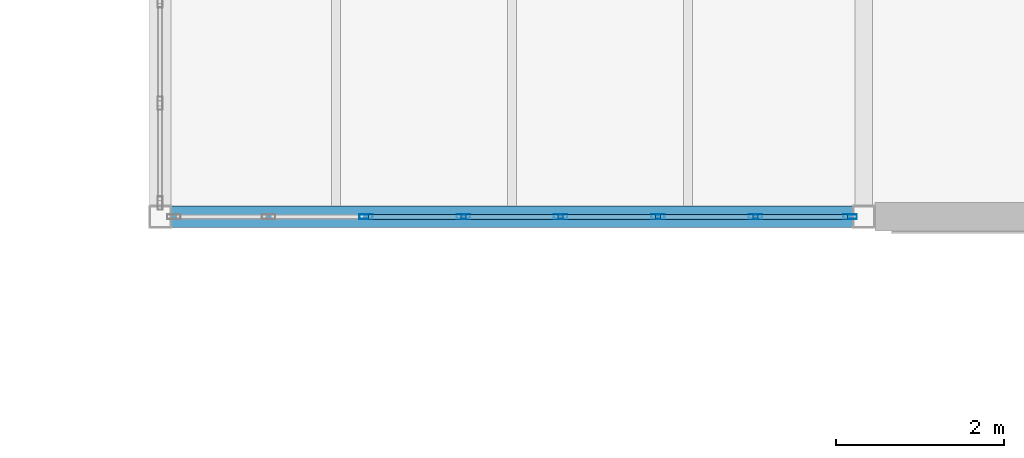
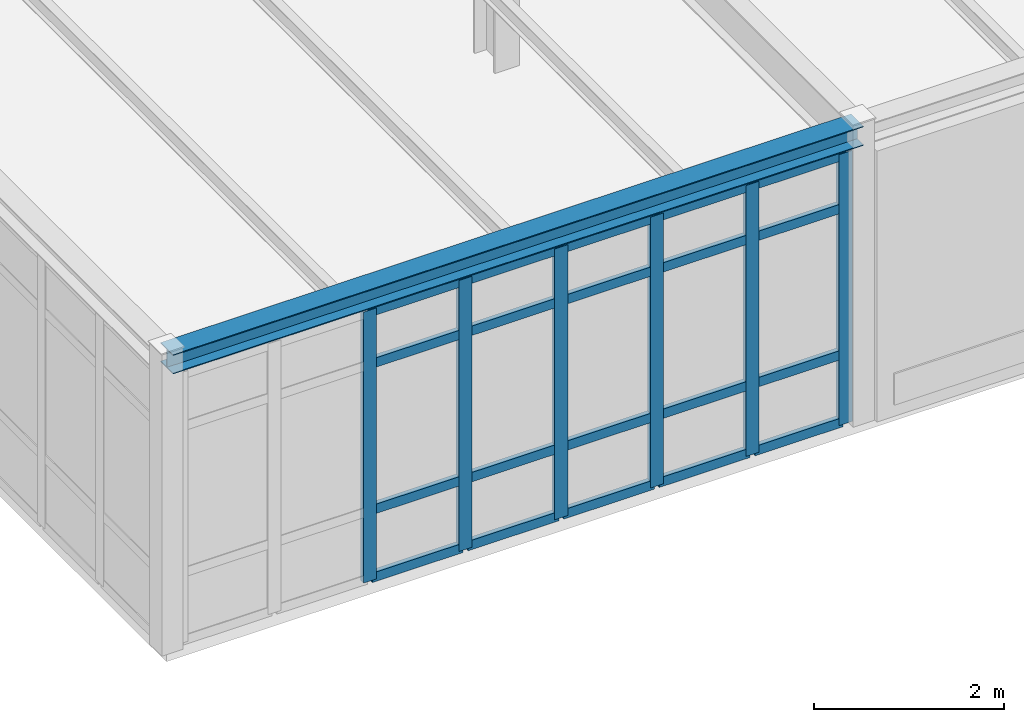
# One storey, part 85 of 189: 26 members, 1 beam, 1 element without a shape of its own.
"""IFC4 building model written with IfcOpenShell, lengths in metres."""

from ifc_helpers import new_model, si_unit, direction, frame, origin, origin_2d, place, context, subcontext, project, spatial, hollow_rectangle, i_section, extrude, material, layer, layer_set, material_profile, profile_set, type_object, element, aggregate, save


model = new_model("IFC4")

# Units and contexts
model_context = context("Model", 3, precision=1e-05, world=origin(), true_north=direction((0.0, 1.0)))
body_context = subcontext(model_context, "Body", "Model", "MODEL_VIEW")
ifc_project = project(units=[si_unit("LENGTHUNIT", "METRE"), si_unit("AREAUNIT", "SQUARE_METRE"), si_unit("VOLUMEUNIT", "CUBIC_METRE"), si_unit("PLANEANGLEUNIT", "RADIAN"), si_unit("MASSUNIT", "GRAM", prefix="KILO")], contexts=[model_context])

# Site, building, storey
site_placement = place(None, origin())
site = spatial("IfcSite", under=ifc_project, at=site_placement, CompositionType="ELEMENT")
building_placement = place(site_placement, origin())
building = spatial("IfcBuilding", under=site, at=building_placement, Name="Montecoro Central Library", CompositionType="ELEMENT")
storey_placement = place(building_placement, frame((0.0, 0.0, 9.179931640625)))
storey = spatial("IfcBuildingStorey", under=building, at=storey_placement, Name="L02", CompositionType="ELEMENT", Elevation=9.179931640625)

# Beam
ifc_material_1 = material(Name="Steel S355", Category="steel")
ifc_material_profile_1 = material_profile(ifc_material_1, i_section(OverallWidth=0.260009765625, OverallDepth=0.25, WebThickness=0.007568359375, FlangeThickness=0.012451171875, at=origin_2d()), Name="HEA 260")
ifc_profile_set_1 = profile_set([ifc_material_profile_1], Name="Steel S355")
beam_type = type_object("IfcBeamType", Name="BM-SP-HEA260", PredefinedType="SPANDREL", material=ifc_profile_set_1)
beam_placement = place(storey_placement, frame((66.405029296875, 81.0, 3.699951171875), z_axis=(1.0, 0.0, 0.0), x_axis=(0.0, 1.0, 0.0)))
element("IfcBeam", 1, at=beam_placement, inside=storey, type_object=beam_type, Name="V2-L02-BX-910-L", PredefinedType="SPANDREL", context=body_context, shape_type="SweptSolid", body=[
    extrude(i_section(OverallWidth=0.260009765625, OverallDepth=0.25, WebThickness=0.007568359375, FlangeThickness=0.012451171875, at=origin_2d()), origin(), (0.0, 0.0, 1.0), 8.389892578125),
])

# Curtain wall, members
ifc_material_2 = material(Name="Bronze-anodised aluminium and low-E glazing", Category="aluminium")
ifc_layer = layer(ifc_material_2, 0.159912109375)
ifc_layer_set = layer_set([ifc_layer], Name="Bronze-anodised aluminium and low-E glazing")
curtain_wall_type = type_object("IfcCurtainWallType", Name="CWT-014", PredefinedType="NOTDEFINED", material=ifc_layer_set)
curtain_wall_placement = place(storey_placement, origin())
curtain_wall = element("IfcCurtainWall", 2, at=curtain_wall_placement, inside=storey, type_object=curtain_wall_type, Name="V2-L02-CW-S0", PredefinedType="NOTDEFINED")
ifc_material_3 = material(Name="Bronze-anodised aluminium", Category="aluminium")
ifc_material_profile_2 = material_profile(ifc_material_3, hollow_rectangle(XDim=0.06005859375, YDim=0.159912109375, WallThickness=0.00390625, at=origin_2d()), Name="CWM 160x60x4.0")
ifc_profile_set_2 = profile_set([ifc_material_profile_2], Name="Bronze-anodised aluminium")
member_type_1 = type_object("IfcMemberType", Name="CWM-BRZ-60", PredefinedType="MULLION", material=ifc_profile_set_2)
member_1_placement = place(storey_placement, frame((68.85693359375, 81.0, 0.0), z_axis=(0.0, 0.0, 1.0), x_axis=(0.0, 1.0, 0.0)))
member_1 = element("IfcMember", 3, at=member_1_placement, type_object=member_type_1, Name="CW-014 mullion 3", PredefinedType="MULLION", context=body_context, shape_type="SweptSolid", body=[
    extrude(hollow_rectangle(XDim=0.06005859375, YDim=0.159912109375, WallThickness=0.00390625, at=origin_2d()), origin(), (0.0, 0.0, 1.0), 3.47998046875),
])
member_2_placement = place(storey_placement, frame((70.01904296875, 81.0, 0.0), z_axis=(0.0, 0.0, 1.0), x_axis=(0.0, 1.0, 0.0)))
member_2 = element("IfcMember", 4, at=member_2_placement, type_object=member_type_1, Name="CW-014 mullion 4", PredefinedType="MULLION", context=body_context, shape_type="SweptSolid", body=[
    extrude(hollow_rectangle(XDim=0.06005859375, YDim=0.159912109375, WallThickness=0.00390625, at=origin_2d()), origin(), (0.0, 0.0, 1.0), 3.47998046875),
])
member_3_placement = place(storey_placement, frame((71.180908203125, 81.0, 0.0), z_axis=(0.0, 0.0, 1.0), x_axis=(0.0, 1.0, 0.0)))
member_3 = element("IfcMember", 5, at=member_3_placement, type_object=member_type_1, Name="CW-014 mullion 5", PredefinedType="MULLION", context=body_context, shape_type="SweptSolid", body=[
    extrude(hollow_rectangle(XDim=0.06005859375, YDim=0.159912109375, WallThickness=0.00390625, at=origin_2d()), origin(), (0.0, 0.0, 1.0), 3.47998046875),
])
member_4_placement = place(storey_placement, frame((72.343017578125, 81.0, 0.0), z_axis=(0.0, 0.0, 1.0), x_axis=(0.0, 1.0, 0.0)))
member_4 = element("IfcMember", 6, at=member_4_placement, type_object=member_type_1, Name="CW-014 mullion 6", PredefinedType="MULLION", context=body_context, shape_type="SweptSolid", body=[
    extrude(hollow_rectangle(XDim=0.06005859375, YDim=0.159912109375, WallThickness=0.00390625, at=origin_2d()), origin(), (0.0, 0.0, 1.0), 3.47998046875),
])
member_5_placement = place(storey_placement, frame((73.5048828125, 81.0, 0.0), z_axis=(0.0, 0.0, 1.0), x_axis=(0.0, 1.0, 0.0)))
member_5 = element("IfcMember", 7, at=member_5_placement, type_object=member_type_1, Name="CW-014 mullion 7", PredefinedType="MULLION", context=body_context, shape_type="SweptSolid", body=[
    extrude(hollow_rectangle(XDim=0.06005859375, YDim=0.159912109375, WallThickness=0.00390625, at=origin_2d()), origin(), (0.0, 0.0, 1.0), 3.47998046875),
])
member_6_placement = place(storey_placement, frame((74.636962890625, 81.0, 0.0), z_axis=(0.0, 0.0, 1.0), x_axis=(0.0, 1.0, 0.0)))
member_6 = element("IfcMember", 8, at=member_6_placement, type_object=member_type_1, Name="CW-014 mullion 8", PredefinedType="MULLION", context=body_context, shape_type="SweptSolid", body=[
    extrude(hollow_rectangle(XDim=0.06005859375, YDim=0.159912109375, WallThickness=0.00390625, at=origin_2d()), origin(), (0.0, 0.0, 1.0), 3.47998046875),
])
ifc_material_profile_3 = material_profile(ifc_material_3, hollow_rectangle(XDim=0.06005859375, YDim=0.1201171875, WallThickness=0.00390625, at=origin_2d()), Name="CWT 120x60x4.0")
ifc_profile_set_3 = profile_set([ifc_material_profile_3], Name="Bronze-anodised aluminium")
member_type_2 = type_object("IfcMemberType", Name="CWT-BRZ-60", PredefinedType="USERDEFINED", material=ifc_profile_set_3)
member_7_placement = place(storey_placement, frame((68.886962890625, 81.0, 0.030029296875), z_axis=(1.0, 0.0, 0.0), x_axis=(0.0, 1.0, 0.0)))
member_7 = element("IfcMember", 9, at=member_7_placement, type_object=member_type_2, Name="CW-014 transom 3.1", ObjectType="TRANSOM", PredefinedType="USERDEFINED", context=body_context, shape_type="SweptSolid", body=[
    extrude(hollow_rectangle(XDim=0.06005859375, YDim=0.1201171875, WallThickness=0.00390625, at=origin_2d()), origin(), (0.0, 0.0, 1.0), 1.10205078125),
])
member_8_placement = place(storey_placement, frame((68.886962890625, 81.0, 0.900146484375), z_axis=(1.0, 0.0, 0.0), x_axis=(0.0, 1.0, 0.0)))
member_8 = element("IfcMember", 10, at=member_8_placement, type_object=member_type_2, Name="CW-014 transom 3.2", ObjectType="TRANSOM", PredefinedType="USERDEFINED", context=body_context, shape_type="SweptSolid", body=[
    extrude(hollow_rectangle(XDim=0.06005859375, YDim=0.1201171875, WallThickness=0.00390625, at=origin_2d()), origin(), (0.0, 0.0, 1.0), 1.10205078125),
])
member_9_placement = place(storey_placement, frame((68.886962890625, 81.0, 2.780029296875), z_axis=(1.0, 0.0, 0.0), x_axis=(0.0, 1.0, 0.0)))
member_9 = element("IfcMember", 11, at=member_9_placement, type_object=member_type_2, Name="CW-014 transom 3.3", ObjectType="TRANSOM", PredefinedType="USERDEFINED", context=body_context, shape_type="SweptSolid", body=[
    extrude(hollow_rectangle(XDim=0.06005859375, YDim=0.1201171875, WallThickness=0.00390625, at=origin_2d()), origin(), (0.0, 0.0, 1.0), 1.10205078125),
])
member_10_placement = place(storey_placement, frame((68.886962890625, 81.0, 3.449951171875), z_axis=(1.0, 0.0, 0.0), x_axis=(0.0, 1.0, 0.0)))
member_10 = element("IfcMember", 12, at=member_10_placement, type_object=member_type_2, Name="CW-014 transom 3.4", ObjectType="TRANSOM", PredefinedType="USERDEFINED", context=body_context, shape_type="SweptSolid", body=[
    extrude(hollow_rectangle(XDim=0.06005859375, YDim=0.1201171875, WallThickness=0.00390625, at=origin_2d()), origin(), (0.0, 0.0, 1.0), 1.10205078125),
])
member_11_placement = place(storey_placement, frame((70.049072265625, 81.0, 0.030029296875), z_axis=(1.0, 0.0, 0.0), x_axis=(0.0, 1.0, 0.0)))
member_11 = element("IfcMember", 13, at=member_11_placement, type_object=member_type_2, Name="CW-014 transom 4.1", ObjectType="TRANSOM", PredefinedType="USERDEFINED", context=body_context, shape_type="SweptSolid", body=[
    extrude(hollow_rectangle(XDim=0.06005859375, YDim=0.1201171875, WallThickness=0.00390625, at=origin_2d()), origin(), (0.0, 0.0, 1.0), 1.101806640625),
])
member_12_placement = place(storey_placement, frame((70.049072265625, 81.0, 0.900146484375), z_axis=(1.0, 0.0, 0.0), x_axis=(0.0, 1.0, 0.0)))
member_12 = element("IfcMember", 14, at=member_12_placement, type_object=member_type_2, Name="CW-014 transom 4.2", ObjectType="TRANSOM", PredefinedType="USERDEFINED", context=body_context, shape_type="SweptSolid", body=[
    extrude(hollow_rectangle(XDim=0.06005859375, YDim=0.1201171875, WallThickness=0.00390625, at=origin_2d()), origin(), (0.0, 0.0, 1.0), 1.101806640625),
])
member_13_placement = place(storey_placement, frame((70.049072265625, 81.0, 2.780029296875), z_axis=(1.0, 0.0, 0.0), x_axis=(0.0, 1.0, 0.0)))
member_13 = element("IfcMember", 15, at=member_13_placement, type_object=member_type_2, Name="CW-014 transom 4.3", ObjectType="TRANSOM", PredefinedType="USERDEFINED", context=body_context, shape_type="SweptSolid", body=[
    extrude(hollow_rectangle(XDim=0.06005859375, YDim=0.1201171875, WallThickness=0.00390625, at=origin_2d()), origin(), (0.0, 0.0, 1.0), 1.101806640625),
])
member_14_placement = place(storey_placement, frame((70.049072265625, 81.0, 3.449951171875), z_axis=(1.0, 0.0, 0.0), x_axis=(0.0, 1.0, 0.0)))
member_14 = element("IfcMember", 16, at=member_14_placement, type_object=member_type_2, Name="CW-014 transom 4.4", ObjectType="TRANSOM", PredefinedType="USERDEFINED", context=body_context, shape_type="SweptSolid", body=[
    extrude(hollow_rectangle(XDim=0.06005859375, YDim=0.1201171875, WallThickness=0.00390625, at=origin_2d()), origin(), (0.0, 0.0, 1.0), 1.101806640625),
])
member_15_placement = place(storey_placement, frame((71.2109375, 81.0, 0.030029296875), z_axis=(1.0, 0.0, 0.0), x_axis=(0.0, 1.0, 0.0)))
member_15 = element("IfcMember", 17, at=member_15_placement, type_object=member_type_2, Name="CW-014 transom 5.1", ObjectType="TRANSOM", PredefinedType="USERDEFINED", context=body_context, shape_type="SweptSolid", body=[
    extrude(hollow_rectangle(XDim=0.06005859375, YDim=0.1201171875, WallThickness=0.00390625, at=origin_2d()), origin(), (0.0, 0.0, 1.0), 1.10205078125),
])
member_16_placement = place(storey_placement, frame((71.2109375, 81.0, 0.900146484375), z_axis=(1.0, 0.0, 0.0), x_axis=(0.0, 1.0, 0.0)))
member_16 = element("IfcMember", 18, at=member_16_placement, type_object=member_type_2, Name="CW-014 transom 5.2", ObjectType="TRANSOM", PredefinedType="USERDEFINED", context=body_context, shape_type="SweptSolid", body=[
    extrude(hollow_rectangle(XDim=0.06005859375, YDim=0.1201171875, WallThickness=0.00390625, at=origin_2d()), origin(), (0.0, 0.0, 1.0), 1.10205078125),
])
member_17_placement = place(storey_placement, frame((71.2109375, 81.0, 2.780029296875), z_axis=(1.0, 0.0, 0.0), x_axis=(0.0, 1.0, 0.0)))
member_17 = element("IfcMember", 19, at=member_17_placement, type_object=member_type_2, Name="CW-014 transom 5.3", ObjectType="TRANSOM", PredefinedType="USERDEFINED", context=body_context, shape_type="SweptSolid", body=[
    extrude(hollow_rectangle(XDim=0.06005859375, YDim=0.1201171875, WallThickness=0.00390625, at=origin_2d()), origin(), (0.0, 0.0, 1.0), 1.10205078125),
])
member_18_placement = place(storey_placement, frame((71.2109375, 81.0, 3.449951171875), z_axis=(1.0, 0.0, 0.0), x_axis=(0.0, 1.0, 0.0)))
member_18 = element("IfcMember", 20, at=member_18_placement, type_object=member_type_2, Name="CW-014 transom 5.4", ObjectType="TRANSOM", PredefinedType="USERDEFINED", context=body_context, shape_type="SweptSolid", body=[
    extrude(hollow_rectangle(XDim=0.06005859375, YDim=0.1201171875, WallThickness=0.00390625, at=origin_2d()), origin(), (0.0, 0.0, 1.0), 1.10205078125),
])
member_19_placement = place(storey_placement, frame((72.373046875, 81.0, 0.030029296875), z_axis=(1.0, 0.0, 0.0), x_axis=(0.0, 1.0, 0.0)))
member_19 = element("IfcMember", 21, at=member_19_placement, type_object=member_type_2, Name="CW-014 transom 6.1", ObjectType="TRANSOM", PredefinedType="USERDEFINED", context=body_context, shape_type="SweptSolid", body=[
    extrude(hollow_rectangle(XDim=0.06005859375, YDim=0.1201171875, WallThickness=0.00390625, at=origin_2d()), origin(), (0.0, 0.0, 1.0), 1.10205078125),
])
member_20_placement = place(storey_placement, frame((72.373046875, 81.0, 0.900146484375), z_axis=(1.0, 0.0, 0.0), x_axis=(0.0, 1.0, 0.0)))
member_20 = element("IfcMember", 22, at=member_20_placement, type_object=member_type_2, Name="CW-014 transom 6.2", ObjectType="TRANSOM", PredefinedType="USERDEFINED", context=body_context, shape_type="SweptSolid", body=[
    extrude(hollow_rectangle(XDim=0.06005859375, YDim=0.1201171875, WallThickness=0.00390625, at=origin_2d()), origin(), (0.0, 0.0, 1.0), 1.10205078125),
])
member_21_placement = place(storey_placement, frame((72.373046875, 81.0, 2.780029296875), z_axis=(1.0, 0.0, 0.0), x_axis=(0.0, 1.0, 0.0)))
member_21 = element("IfcMember", 23, at=member_21_placement, type_object=member_type_2, Name="CW-014 transom 6.3", ObjectType="TRANSOM", PredefinedType="USERDEFINED", context=body_context, shape_type="SweptSolid", body=[
    extrude(hollow_rectangle(XDim=0.06005859375, YDim=0.1201171875, WallThickness=0.00390625, at=origin_2d()), origin(), (0.0, 0.0, 1.0), 1.10205078125),
])
member_22_placement = place(storey_placement, frame((72.373046875, 81.0, 3.449951171875), z_axis=(1.0, 0.0, 0.0), x_axis=(0.0, 1.0, 0.0)))
member_22 = element("IfcMember", 24, at=member_22_placement, type_object=member_type_2, Name="CW-014 transom 6.4", ObjectType="TRANSOM", PredefinedType="USERDEFINED", context=body_context, shape_type="SweptSolid", body=[
    extrude(hollow_rectangle(XDim=0.06005859375, YDim=0.1201171875, WallThickness=0.00390625, at=origin_2d()), origin(), (0.0, 0.0, 1.0), 1.10205078125),
])
member_23_placement = place(storey_placement, frame((73.534912109375, 81.0, 0.030029296875), z_axis=(1.0, 0.0, 0.0), x_axis=(0.0, 1.0, 0.0)))
member_23 = element("IfcMember", 25, at=member_23_placement, type_object=member_type_2, Name="CW-014 transom 7.1", ObjectType="TRANSOM", PredefinedType="USERDEFINED", context=body_context, shape_type="SweptSolid", body=[
    extrude(hollow_rectangle(XDim=0.06005859375, YDim=0.1201171875, WallThickness=0.00390625, at=origin_2d()), origin(), (0.0, 0.0, 1.0), 1.072021484375),
])
member_24_placement = place(storey_placement, frame((73.534912109375, 81.0, 0.900146484375), z_axis=(1.0, 0.0, 0.0), x_axis=(0.0, 1.0, 0.0)))
member_24 = element("IfcMember", 26, at=member_24_placement, type_object=member_type_2, Name="CW-014 transom 7.2", ObjectType="TRANSOM", PredefinedType="USERDEFINED", context=body_context, shape_type="SweptSolid", body=[
    extrude(hollow_rectangle(XDim=0.06005859375, YDim=0.1201171875, WallThickness=0.00390625, at=origin_2d()), origin(), (0.0, 0.0, 1.0), 1.072021484375),
])
member_25_placement = place(storey_placement, frame((73.534912109375, 81.0, 2.780029296875), z_axis=(1.0, 0.0, 0.0), x_axis=(0.0, 1.0, 0.0)))
member_25 = element("IfcMember", 27, at=member_25_placement, type_object=member_type_2, Name="CW-014 transom 7.3", ObjectType="TRANSOM", PredefinedType="USERDEFINED", context=body_context, shape_type="SweptSolid", body=[
    extrude(hollow_rectangle(XDim=0.06005859375, YDim=0.1201171875, WallThickness=0.00390625, at=origin_2d()), origin(), (0.0, 0.0, 1.0), 1.072021484375),
])
member_26_placement = place(storey_placement, frame((73.534912109375, 81.0, 3.449951171875), z_axis=(1.0, 0.0, 0.0), x_axis=(0.0, 1.0, 0.0)))
member_26 = element("IfcMember", 28, at=member_26_placement, type_object=member_type_2, Name="CW-014 transom 7.4", ObjectType="TRANSOM", PredefinedType="USERDEFINED", context=body_context, shape_type="SweptSolid", body=[
    extrude(hollow_rectangle(XDim=0.06005859375, YDim=0.1201171875, WallThickness=0.00390625, at=origin_2d()), origin(), (0.0, 0.0, 1.0), 1.072021484375),
])
aggregate(curtain_wall, [member_1, member_2, member_3, member_4, member_5, member_6, member_7, member_8, member_9, member_10, member_11, member_12, member_13, member_14, member_15, member_16, member_17, member_18, member_19, member_20, member_21, member_22, member_23, member_24, member_25, member_26])

save(model, "model.ifc")
